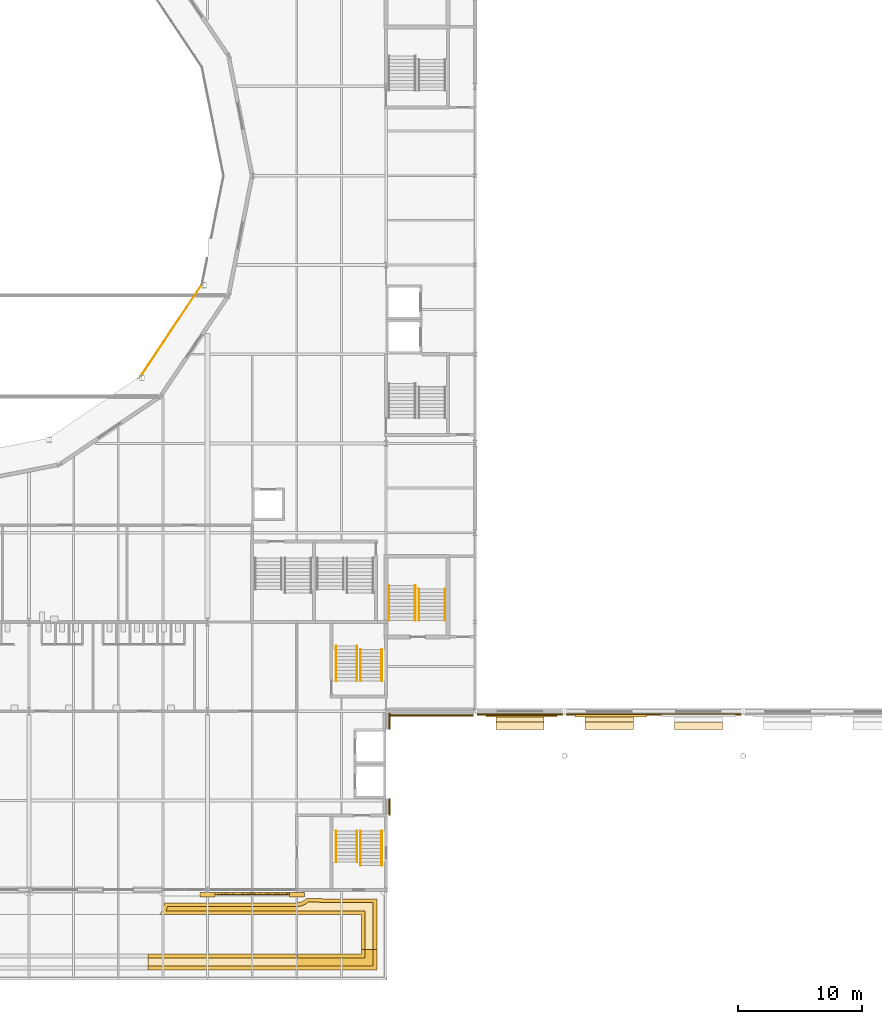
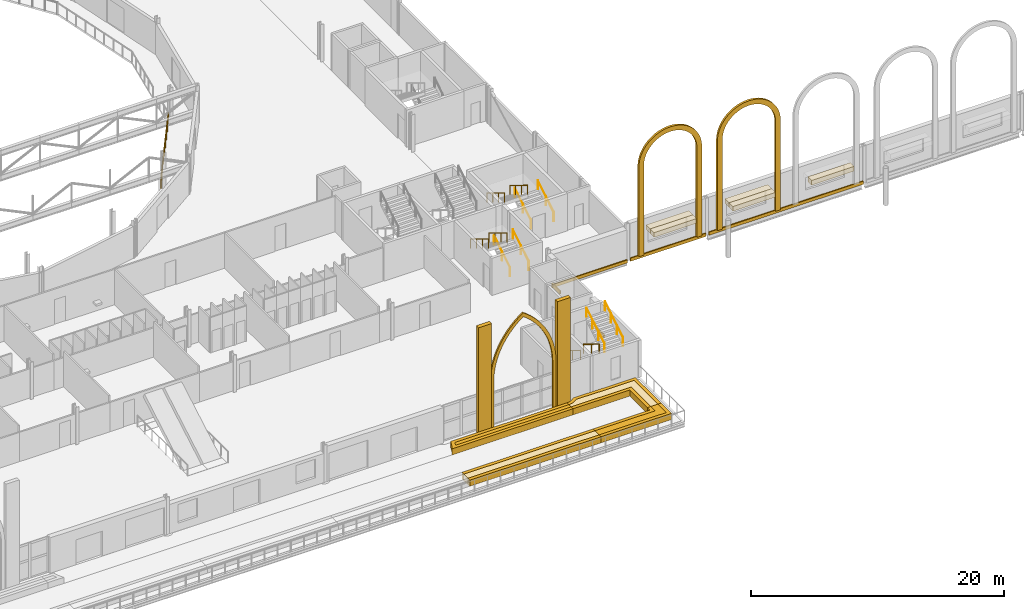
# One storey, part 108 of 143: 26 coverings, 13 railings.
"""IFC4 building model written with IfcOpenShell, lengths in metres."""

import ifcopenshell
import ifcopenshell.guid

model = None  # the IFC model being written
_history = None  # IfcOwnerHistory: only IFC2X3 demands one
_inside = {}  # id of a spatial element -> (the spatial element, [elements in it])
_under = {}  # id of a project, library or spatial element -> (it, [spatial elements below it])
_declared = {}  # id of a project -> (the project, [libraries it declares])
_typed = {}  # id of a type object -> (the type object, [elements of that type])
_made_of = {}  # id of a material, layer set ... -> (it, [elements and type objects made of it])


def new_model(schema):
    """Start an empty IFC model of exactly this schema.

    Asked for "IFC4X3", IfcOpenShell would pick the latest addendum, in which some entities
    have other attributes; the version numbers below select the first issue.
    IFC2X3 requires an IfcOwnerHistory on every rooted entity: one is made here for all.
    """
    global model, _history
    if schema == "IFC4X3":
        model = ifcopenshell.file(schema_version=(4, 3, 0, 0))
    else:
        model = ifcopenshell.file(schema=schema)
    _inside.clear()
    _under.clear()
    _declared.clear()
    _typed.clear()
    _made_of.clear()
    _history = None
    if model.schema == "IFC2X3":
        org = make("IfcOrganization", Name="unknown")
        user = make(
            "IfcPersonAndOrganization",
            ThePerson=make("IfcPerson", FamilyName="unknown"),
            TheOrganization=org,
        )
        app = make(
            "IfcApplication",
            ApplicationDeveloper=org,
            Version="unknown",
            ApplicationFullName="unknown",
            ApplicationIdentifier="unknown",
        )
        _history = make(
            "IfcOwnerHistory",
            OwningUser=user,
            OwningApplication=app,
            ChangeAction="ADDED",
            CreationDate=0,
        )
    return model


def make(cls, **values):
    """One entity of the class cls with the attributes given. An attribute that is None is left unset."""
    return model.create_entity(
        cls, **{name: value for name, value in values.items() if value is not None}
    )


def rooted(cls, **values):
    """An entity with a GlobalId (a new one), such as an element, a storey or a relation."""
    return make(cls, GlobalId=ifcopenshell.guid.new(), OwnerHistory=_history, **values)


def si_unit(unit_type, name, prefix=None):
    """IfcSIUnit, for example si_unit("LENGTHUNIT", "METRE", prefix="MILLI")."""
    return make("IfcSIUnit", UnitType=unit_type, Prefix=prefix, Name=name)


def assignment(units):
    """IfcUnitAssignment: the units of a project."""
    return None if units is None else make("IfcUnitAssignment", Units=units)


def point(xyz):
    """IfcCartesianPoint."""
    return None if xyz is None else make("IfcCartesianPoint", Coordinates=xyz)


def direction(xyz):
    """IfcDirection."""
    return None if xyz is None else make("IfcDirection", DirectionRatios=xyz)


def frame(location, z_axis=None, x_axis=None):
    """IfcAxis2Placement3D, a coordinate frame: its origin and axes. An axis left out is left unset."""
    return make(
        "IfcAxis2Placement3D",
        Location=point(location),
        Axis=direction(z_axis),
        RefDirection=direction(x_axis),
    )


def frame_2d(location, x_axis=None):
    """IfcAxis2Placement2D, a coordinate frame in the plane: its origin and x axis."""
    return make(
        "IfcAxis2Placement2D", Location=point(location), RefDirection=direction(x_axis)
    )


def origin():
    """The frame at (0, 0, 0) with its axes left unset."""
    return frame((0.0, 0.0, 0.0))


def origin_2d():
    """The frame at (0, 0) in the plane with its x axis left unset."""
    return frame_2d((0.0, 0.0))


def place(relative_to, where):
    """IfcLocalPlacement: puts the frame where relative to a parent placement (None: the world)."""
    return make(
        "IfcLocalPlacement", PlacementRelTo=relative_to, RelativePlacement=where
    )


def context(
    kind, dimensions, precision=None, world=None, true_north=None, identifier=None
):
    """IfcGeometricRepresentationContext, for example the 3D "Model" context."""
    return make(
        "IfcGeometricRepresentationContext",
        ContextIdentifier=identifier,
        ContextType=kind,
        CoordinateSpaceDimension=dimensions,
        Precision=precision,
        WorldCoordinateSystem=world,
        TrueNorth=true_north,
    )


def subcontext(parent, identifier, kind, view, scale=None):
    """IfcGeometricRepresentationSubContext, for example "Body" below "Model"."""
    return make(
        "IfcGeometricRepresentationSubContext",
        ContextIdentifier=identifier,
        ContextType=kind,
        ParentContext=parent,
        TargetScale=scale,
        TargetView=view,
    )


def project(units=None, contexts=None):
    """IfcProject with its units and contexts."""
    return rooted(
        "IfcProject",
        Name="project",
        RepresentationContexts=contexts,
        UnitsInContext=assignment(units),
    )


def spatial(cls, under=None, at=None, **own):
    """A site, building, storey or space (cls), placed at a placement, below another one or the project."""
    s = rooted(cls, ObjectPlacement=at, **own)
    if under is not None:
        _under.setdefault(under.id(), (under, []))[1].append(s)
    return s


def polyline(points):
    """IfcPolyline through the points."""
    return make("IfcPolyline", Points=[point(p) for p in points])


def profile(cls, at=None, kind="AREA", **sizes):
    """A parametric profile (cls). Its sizes go by their IFC names, for example OverallWidth=200.0."""
    return make(cls, ProfileType=kind, Position=at, **sizes)


def rectangle(**sizes):
    """IfcRectangleProfileDef."""
    return profile("IfcRectangleProfileDef", **sizes)


def circle(**sizes):
    """IfcCircleProfileDef."""
    return profile("IfcCircleProfileDef", **sizes)


def outline(outer, holes=None, kind="AREA"):
    """IfcArbitraryClosedProfileDef: a profile drawn as a closed curve; with holes, ...WithVoids."""
    if holes is None:
        return make("IfcArbitraryClosedProfileDef", ProfileType=kind, OuterCurve=outer)
    return make(
        "IfcArbitraryProfileDefWithVoids",
        ProfileType=kind,
        OuterCurve=outer,
        InnerCurves=holes,
    )


def extrude(swept, where, along, depth):
    """IfcExtrudedAreaSolid: the profile swept, set in the frame where, extruded along a direction by depth."""
    return make(
        "IfcExtrudedAreaSolid",
        SweptArea=swept,
        Position=where,
        ExtrudedDirection=direction(along),
        Depth=depth,
    )


def shape(context_of_items, identifier, shape_type, items):
    """IfcShapeRepresentation: the items that make up one representation, for example the "Body"."""
    return make(
        "IfcShapeRepresentation",
        ContextOfItems=context_of_items,
        RepresentationIdentifier=identifier,
        RepresentationType=shape_type,
        Items=items,
    )


def material(Name=None, Category=None):
    """IfcMaterial."""
    return make("IfcMaterial", Name=Name, Category=Category)


def layer(
    of_material, thickness, ventilated=None, Name=None, Category=None, Priority=None
):
    """IfcMaterialLayer: one layer of a wall or slab, of a material (None: an air gap)."""
    return make(
        "IfcMaterialLayer",
        Material=of_material,
        LayerThickness=thickness,
        IsVentilated=ventilated,
        Name=Name,
        Category=Category,
        Priority=Priority,
    )


def layer_set(layers, Name=None):
    """IfcMaterialLayerSet."""
    return make("IfcMaterialLayerSet", MaterialLayers=layers, LayerSetName=Name)


def made_of(thing, what):
    """Note that an element or type object is made of a material, layer set ...; save() writes the relation."""
    if what is not None:
        _made_of.setdefault(what.id(), (what, []))[1].append(thing)
    return thing


def type_object(cls, material=None, **own):
    """A type object (cls), such as IfcWallType, which elements share."""
    return made_of(rooted(cls, **own), material)


def element(
    cls,
    number,
    at=None,
    inside=None,
    cuts=None,
    type_object=None,
    material=None,
    context=None,
    identifier="Body",
    shape_type=None,
    held_by="IfcProductDefinitionShape",
    body=None,
    shapes=None,
    **own,
):
    """One element of the class cls, such as IfcWall. Its Tag is "e" and its number.

    at: its placement. inside: the storey or other place that contains it. cuts: it is an
    opening in that element (IfcRelVoidsElement). A single representation is given by context,
    identifier, shape_type and body (its items); several are given by shapes. held_by: the class
    of the entity that holds the representations. save() writes the other relations.
    """
    e = rooted(cls, Tag="e%d" % number, ObjectPlacement=at, **own)
    if body is not None:
        shapes = [shape(context, identifier, shape_type, body)]
    if shapes is not None:
        e.Representation = make(held_by, Representations=shapes)
    if inside is not None:
        _inside.setdefault(inside.id(), (inside, []))[1].append(e)
    if cuts is not None:
        rooted(
            "IfcRelVoidsElement", RelatingBuildingElement=cuts, RelatedOpeningElement=e
        )
    if type_object is not None:
        _typed.setdefault(type_object.id(), (type_object, []))[1].append(e)
    return made_of(e, material)


def aggregate(whole, parts):
    """IfcRelAggregates: a whole, such as a stair, and the parts it consists of."""
    return rooted("IfcRelAggregates", RelatingObject=whole, RelatedObjects=parts)


def save(model, path):
    """Write the relations noted so far, then the file.

    IfcRelAggregates (storeys below a building ...), IfcRelContainedInSpatialStructure (elements
    in a storey), IfcRelDefinesByType, IfcRelAssociatesMaterial and IfcRelDeclares: one each for
    every whole, place, type object, material and project.
    """
    for whole, parts in _under.values():
        aggregate(whole, parts)
    for where, things in _inside.values():
        rooted(
            "IfcRelContainedInSpatialStructure",
            RelatedElements=things,
            RelatingStructure=where,
        )
    for kind, things in _typed.values():
        rooted("IfcRelDefinesByType", RelatedObjects=things, RelatingType=kind)
    for what, things in _made_of.values():
        rooted("IfcRelAssociatesMaterial", RelatedObjects=things, RelatingMaterial=what)
    for by, libraries in _declared.values():
        rooted("IfcRelDeclares", RelatingContext=by, RelatedDefinitions=libraries)
    model.write(path)


model = new_model("IFC4")

# Units and contexts
model_context = context("Model", 3, precision=1e-05, world=origin(), true_north=direction((0.0, 1.0)))
body_context = subcontext(model_context, "Body", "Model", "MODEL_VIEW")
ifc_project = project(units=[si_unit("LENGTHUNIT", "METRE"), si_unit("AREAUNIT", "SQUARE_METRE"), si_unit("VOLUMEUNIT", "CUBIC_METRE"), si_unit("PLANEANGLEUNIT", "RADIAN"), si_unit("MASSUNIT", "GRAM", prefix="KILO")], contexts=[model_context])

# Site, building, storey
site_placement = place(None, origin())
site = spatial("IfcSite", under=ifc_project, at=site_placement, CompositionType="ELEMENT")
building_placement = place(site_placement, origin())
building = spatial("IfcBuilding", under=site, at=building_placement, Name="Kupolbacken Congress Centre", CompositionType="ELEMENT")
storey_placement = place(building_placement, frame((0.0, 0.0, 7.199951171875)))
storey = spatial("IfcBuildingStorey", under=building, at=storey_placement, Name="L02", CompositionType="ELEMENT", Elevation=7.199951171875)

# Coverings
ifc_material_1 = material(Name="Brick cladding", Category="masonry")
ifc_layer_1 = layer(ifc_material_1, 0.10791015625)
ifc_layer_set_1 = layer_set([ifc_layer_1], Name="Brick cladding")
covering_type_1 = type_object("IfcCoveringType", Name="CV2 brick cladding band 108", PredefinedType="CLADDING", material=ifc_layer_set_1)
covering_1_placement = place(storey_placement, frame((79.48388671875, 35.47509765625, 0.0), z_axis=(0.0, 0.0, 1.0), x_axis=(0.0, 1.0, 0.0)))
element("IfcCovering", 1, at=covering_1_placement, inside=storey, type_object=covering_type_1, Name="E/F/E/L02/228/band", PredefinedType="CLADDING", context=body_context, shape_type="SweptSolid", body=[
    extrude(rectangle(XDim=1.35009765625, YDim=0.10791015625, at=origin_2d()), origin(), (0.0, 0.0, 1.0), 0.300048828125),
])
covering_2_placement = place(storey_placement, frame((79.48388671875, 42.39990234375, 0.0), z_axis=(0.0, 0.0, 1.0), x_axis=(0.0, 1.0, 0.0)))
element("IfcCovering", 2, at=covering_2_placement, inside=storey, type_object=covering_type_1, Name="E/F/E/L02/229/band", PredefinedType="CLADDING", context=body_context, shape_type="SweptSolid", body=[
    extrude(rectangle(XDim=1.300048828125, YDim=0.10791015625, at=origin_2d()), origin(), (0.0, 0.0, 1.0), 0.300048828125),
])
covering_3_placement = place(storey_placement, frame((90.0, 42.93603515625, 0.0), z_axis=(0.0, 0.0, 1.0), x_axis=(1.0, 0.0, 0.0)))
element("IfcCovering", 3, at=covering_3_placement, inside=storey, type_object=covering_type_1, Name="E/H/S/L02/265/band", PredefinedType="CLADDING", context=body_context, shape_type="SweptSolid", body=[
    extrude(rectangle(XDim=6.89990234375, YDim=0.10791015625, at=origin_2d()), origin(), (0.0, 0.0, 1.0), 0.300048828125),
])
covering_4_placement = place(storey_placement, frame((100.800048828125, 42.93603515625, 0.0), z_axis=(0.0, 0.0, 1.0), x_axis=(1.0, 0.0, 0.0)))
element("IfcCovering", 4, at=covering_4_placement, inside=storey, type_object=covering_type_1, Name="E/H/S/L02/266/band", PredefinedType="CLADDING", context=body_context, shape_type="SweptSolid", body=[
    extrude(rectangle(XDim=14.10009765625, YDim=0.10791015625, at=origin_2d()), origin(), (0.0, 0.0, 1.0), 0.300048828125),
])
covering_5_placement = place(storey_placement, frame((82.800048828125, 42.865966796875, 0.0), z_axis=(0.0, 0.0, 1.0), x_axis=(1.0, 0.0, 0.0)))
element("IfcCovering", 5, at=covering_5_placement, inside=storey, type_object=covering_type_1, Name="E/LINK/S/L02/275/band", PredefinedType="CLADDING", context=body_context, shape_type="SweptSolid", body=[
    extrude(rectangle(XDim=6.89990234375, YDim=0.10791015625, at=origin_2d()), origin(), (0.0, 0.0, 1.0), 0.300048828125),
])
ifc_material_2 = material(Name="Limestone cladding", Category="masonry")
ifc_layer_2 = layer(ifc_material_2, 0.35009765625)
ifc_layer_set_2 = layer_set([ifc_layer_2], Name="Limestone cladding")
covering_type_2 = type_object("IfcCoveringType", Name="CV3 limestone pilaster strip 350", PredefinedType="CLADDING", material=ifc_layer_set_2)
for number, where, z_axis, x_axis, name in (
    (6, (64.800048828125, 28.39501953125, 0.0), (0.0, 0.0, 1.0), (1.0, 0.0, 0.0), "F/FY/S/pil/08/0"),
    (7, (72.0, 28.39501953125, 0.0), (0.0, 0.0, 1.0), (1.0, 0.0, 0.0), "F/FY/S/pil/09/0"),
):
    element("IfcCovering", number, at=place(storey_placement, frame(where, z_axis=z_axis, x_axis=x_axis)), inside=storey, type_object=covering_type_2, Name=name, PredefinedType="CLADDING", context=body_context, shape_type="SweptSolid", body=[
        extrude(rectangle(XDim=1.199951171875, YDim=0.35009765625, at=origin_2d()), origin(), (0.0, 0.0, 1.0), 10.300048828125),
    ])
ifc_material_3 = material(Name="Limestone cladding", Category="masonry")
ifc_layer_3 = layer(ifc_material_3, 0.14990234375)
ifc_layer_set_3 = layer_set([ifc_layer_3], Name="Limestone cladding")
covering_type_3 = type_object("IfcCoveringType", Name="CV4 limestone blind arch frame 150", PredefinedType="CLADDING", material=ifc_layer_set_3)
covering_6_placement = place(storey_placement, frame((65.39990234375, 28.570068359375, 0.0), z_axis=(0.0, -1.0, 0.0), x_axis=(1.0, 0.0, 0.0)))
element("IfcCovering", 8, at=covering_6_placement, inside=storey, type_object=covering_type_3, Name="F/FY/S/arch/08/11.7", PredefinedType="CLADDING", context=body_context, shape_type="SweptSolid", body=[
    extrude(outline(polyline([(0.0, 0.0), (0.0, 4.449951171875), (0.0166015625, 4.92822265625), (0.066162109375, 5.404052734375), (0.1484375, 5.87548828125), (0.26318359375, 6.340087890625), (0.409912109375, 6.79541015625), (0.587646484375, 7.23974609375), (0.7958984375, 7.670654296875), (1.033203125, 8.086181640625), (1.298583984375, 8.484130859375), (1.591064453125, 8.86279296875), (1.9091796875, 9.220458984375), (2.2509765625, 9.555419921875), (2.615234375, 9.865478515625), (3.0, 10.14990234375), (3.384765625, 9.865478515625), (3.7490234375, 9.555419921875), (4.0908203125, 9.220458984375), (4.408935546875, 8.86279296875), (4.701416015625, 8.484130859375), (4.966796875, 8.086181640625), (5.2041015625, 7.670654296875), (5.412353515625, 7.23974609375), (5.590087890625, 6.79541015625), (5.73681640625, 6.340087890625), (5.8515625, 5.87548828125), (5.933837890625, 5.404052734375), (5.9833984375, 4.92822265625), (6.0, 4.449951171875), (6.0, 0.0), (5.699951171875, 0.0), (5.699951171875, 4.449951171875), (5.685302734375, 4.892578125), (5.640869140625, 5.333251953125), (5.56689453125, 5.77001953125), (5.464111328125, 6.20068359375), (5.332763671875, 6.62353515625), (5.17333984375, 7.036865234375), (4.986572265625, 7.4384765625), (4.773193359375, 7.826416015625), (4.53466796875, 8.19970703125), (4.271484375, 8.555908203125), (3.985107421875, 8.893798828125), (3.677001953125, 9.211669921875), (3.347900390625, 9.50830078125), (3.0, 9.781982421875), (2.652099609375, 9.50830078125), (2.322998046875, 9.211669921875), (2.014892578125, 8.893798828125), (1.728515625, 8.555908203125), (1.46533203125, 8.19970703125), (1.226806640625, 7.826416015625), (1.013427734375, 7.4384765625), (0.82666015625, 7.036865234375), (0.667236328125, 6.62353515625), (0.535888671875, 6.20068359375), (0.43310546875, 5.77001953125), (0.359130859375, 5.333251953125), (0.314697265625, 4.892578125), (0.300048828125, 4.449951171875), (0.300048828125, 0.0), (0.0, 0.0)])), origin(), (0.0, 0.0, 1.0), 0.14990234375),
])
ifc_material_4 = material(Name="Limestone cladding", Category="masonry")
ifc_layer_4 = layer(ifc_material_4, 0.60009765625)
ifc_layer_set_4 = layer_set([ifc_layer_4], Name="Limestone cladding")
covering_type_4 = type_object("IfcCoveringType", Name="CV5 limestone arcade pier 600", PredefinedType="CLADDING", material=ifc_layer_set_4)
covering_7_placement = place(storey_placement, origin())
element("IfcCovering", 9, at=covering_7_placement, inside=storey, type_object=covering_type_4, Name="Bed kerb, roof garden", PredefinedType="CLADDING", context=body_context, shape_type="SweptSolid", body=[
    extrude(outline(polyline([(72.0, 23.6025390625), (72.0, 23.302490234375), (60.0, 23.302490234375), (60.0, 23.6025390625), (72.0, 23.6025390625)])), origin(), (0.0, 0.0, 1.0), 0.60009765625),
])
covering_8_placement = place(storey_placement, origin())
element("IfcCovering", 10, at=covering_8_placement, inside=storey, type_object=covering_type_4, Name="Bed kerb, roof garden", PredefinedType="CLADDING", context=body_context, shape_type="SweptSolid", body=[
    extrude(outline(polyline([(60.0, 22.35009765625), (60.0, 22.64990234375), (72.0, 22.64990234375), (72.0, 22.35009765625), (60.0, 22.35009765625)])), origin(), (0.0, 0.0, 1.0), 0.60009765625),
])
covering_9_placement = place(storey_placement, origin())
element("IfcCovering", 11, at=covering_9_placement, inside=storey, type_object=covering_type_4, Name="Bed kerb, roof garden", PredefinedType="CLADDING", context=body_context, shape_type="SweptSolid", body=[
    extrude(outline(polyline([(60.941162109375, 26.797607421875), (61.03955078125, 26.961669921875), (61.203125, 27.3076171875), (61.33203125, 27.66796875), (61.3525390625, 27.75), (62.90966796875, 27.75), (62.909912109375, 27.75), (62.925048828125, 27.749267578125), (62.93994140625, 27.75), (62.940185546875, 27.75), (64.604736328125, 27.75), (64.60498046875, 27.75), (64.6201171875, 27.749267578125), (64.7099609375, 27.753662109375), (64.800048828125, 27.749267578125), (64.887451171875, 27.753662109375), (64.97509765625, 27.749267578125), (64.98974609375, 27.75), (66.69775390625, 27.75), (66.71240234375, 27.749267578125), (66.727294921875, 27.75), (68.460205078125, 27.75), (68.47509765625, 27.749267578125), (68.48974609375, 27.75), (70.222900390625, 27.75), (70.237548828125, 27.749267578125), (70.252197265625, 27.75), (71.960205078125, 27.75), (71.97509765625, 27.749267578125), (72.0, 27.75048828125), (72.0, 27.4501953125), (71.97509765625, 27.448974609375), (71.952880859375, 27.449951171875), (70.259521484375, 27.449951171875), (70.237548828125, 27.448974609375), (70.21533203125, 27.449951171875), (68.4970703125, 27.449951171875), (68.47509765625, 27.448974609375), (68.452880859375, 27.449951171875), (66.734619140625, 27.449951171875), (66.71240234375, 27.448974609375), (66.6904296875, 27.449951171875), (64.9970703125, 27.449951171875), (64.97509765625, 27.448974609375), (64.887451171875, 27.453125), (64.800048828125, 27.448974609375), (64.7099609375, 27.453369140625), (64.620361328125, 27.448974609375), (64.59765625, 27.449951171875), (62.947021484375, 27.449951171875), (62.92529296875, 27.448974609375), (62.902587890625, 27.449951171875), (61.57275390625, 27.449951171875), (61.480712890625, 27.192626953125), (61.435791015625, 27.097412109375), (72.0, 27.097412109375), (72.0, 26.797607421875), (60.941162109375, 26.797607421875)])), origin(), (0.0, 0.0, 1.0), 0.60009765625),
])
covering_10_placement = place(storey_placement, origin())
element("IfcCovering", 12, at=covering_10_placement, inside=storey, type_object=covering_type_4, Name="Bed kerb, roof garden", PredefinedType="CLADDING", context=body_context, shape_type="SweptSolid", body=[
    extrude(outline(polyline([(77.197509765625, 23.6025390625), (77.197509765625, 24.0), (77.49755859375, 24.0), (77.49755859375, 23.302490234375), (72.0, 23.302490234375), (72.0, 23.6025390625), (77.197509765625, 23.6025390625)])), origin(), (0.0, 0.0, 1.0), 0.60009765625),
])
covering_11_placement = place(storey_placement, origin())
element("IfcCovering", 13, at=covering_11_placement, inside=storey, type_object=covering_type_4, Name="Bed kerb, roof garden", PredefinedType="CLADDING", context=body_context, shape_type="SweptSolid", body=[
    extrude(outline(polyline([(78.449951171875, 22.35009765625), (72.0, 22.35009765625), (72.0, 22.64990234375), (78.14990234375, 22.64990234375), (78.14990234375, 24.0), (78.449951171875, 24.0), (78.449951171875, 22.35009765625)])), origin(), (0.0, 0.0, 1.0), 0.60009765625),
])
covering_12_placement = place(storey_placement, origin())
element("IfcCovering", 14, at=covering_12_placement, inside=storey, type_object=covering_type_4, Name="Bed kerb, roof garden", PredefinedType="CLADDING", context=body_context, shape_type="SweptSolid", body=[
    extrude(outline(polyline([(77.197509765625, 26.797607421875), (72.0, 26.797607421875), (72.0, 27.097412109375), (77.49755859375, 27.097412109375), (77.49755859375, 24.0), (77.197509765625, 24.0), (77.197509765625, 26.797607421875)])), origin(), (0.0, 0.0, 1.0), 0.60009765625),
])
covering_13_placement = place(storey_placement, origin())
element("IfcCovering", 15, at=covering_13_placement, inside=storey, type_object=covering_type_4, Name="Bed kerb, roof garden", PredefinedType="CLADDING", context=body_context, shape_type="SweptSolid", body=[
    extrude(outline(polyline([(72.077880859375, 27.75439453125), (72.179931640625, 27.76953125), (72.280029296875, 27.79443359375), (72.377197265625, 27.829345703125), (72.47021484375, 27.873291015625), (72.558837890625, 27.926513671875), (72.6416015625, 27.98779296875), (72.718017578125, 28.056884765625), (72.7568359375, 28.10009765625), (74.074951171875, 28.10009765625), (74.074951171875, 28.074951171875), (74.324951171875, 28.074951171875), (75.52490234375, 28.074951171875), (78.440673828125, 28.074951171875), (78.449951171875, 28.064697265625), (78.449951171875, 24.0), (78.14990234375, 24.0), (78.14990234375, 27.77490234375), (73.77490234375, 27.77490234375), (73.77490234375, 27.800048828125), (72.881103515625, 27.800048828125), (72.83203125, 27.755615234375), (72.7255859375, 27.676513671875), (72.61181640625, 27.6083984375), (72.491943359375, 27.5517578125), (72.3671875, 27.507080078125), (72.238525390625, 27.474853515625), (72.107421875, 27.455322265625), (72.0, 27.4501953125), (72.0, 27.75048828125), (72.077880859375, 27.75439453125)])), origin(), (0.0, 0.0, 1.0), 0.60009765625),
])
covering_14_placement = place(storey_placement, frame((90.0, 42.6650390625, 2.5), z_axis=(0.0, 0.0, 1.0), x_axis=(1.0, 0.0, 0.0)))
element("IfcCovering", 16, at=covering_14_placement, inside=storey, type_object=covering_type_4, Name="F/HR/H/S/fin/00/0/a", PredefinedType="CLADDING", context=body_context, shape_type="SweptSolid", body=[
    extrude(rectangle(XDim=3.89990234375, YDim=0.64990234375, at=origin_2d()), origin(), (0.0, 0.0, 1.0), 0.449951171875),
])
covering_15_placement = place(storey_placement, frame((90.0, 42.0400390625, 2.5), z_axis=(0.0, 0.0, 1.0), x_axis=(1.0, 0.0, 0.0)))
element("IfcCovering", 17, at=covering_15_placement, inside=storey, type_object=covering_type_4, Name="F/HR/H/S/fin/00/0/b", PredefinedType="CLADDING", context=body_context, shape_type="SweptSolid", body=[
    extrude(rectangle(XDim=3.89990234375, YDim=0.60009765625, at=origin_2d()), origin(), (0.0, 0.0, 1.0), 0.449951171875),
])
covering_16_placement = place(storey_placement, frame((97.199951171875, 42.6650390625, 2.5), z_axis=(0.0, 0.0, 1.0), x_axis=(1.0, 0.0, 0.0)))
element("IfcCovering", 18, at=covering_16_placement, inside=storey, type_object=covering_type_4, Name="F/HR/H/S/fin/01/0/a", PredefinedType="CLADDING", context=body_context, shape_type="SweptSolid", body=[
    extrude(rectangle(XDim=3.89990234375, YDim=0.64990234375, at=origin_2d()), origin(), (0.0, 0.0, 1.0), 0.449951171875),
])
for number, where, z_axis, x_axis, name in (
    (19, (97.199951171875, 42.0400390625, 2.5), (0.0, 0.0, 1.0), (1.0, 0.0, 0.0), "F/HR/H/S/fin/01/0/b"),
    (20, (104.39990234375, 42.0400390625, 2.5), (0.0, 0.0, 1.0), (1.0, 0.0, 0.0), "F/HR/H/S/fin/02/0/b"),
):
    element("IfcCovering", number, at=place(storey_placement, frame(where, z_axis=z_axis, x_axis=x_axis)), inside=storey, type_object=covering_type_4, Name=name, PredefinedType="CLADDING", context=body_context, shape_type="SweptSolid", body=[
        extrude(rectangle(XDim=3.89990234375, YDim=0.60009765625, at=origin_2d()), origin(), (0.0, 0.0, 1.0), 0.449951171875),
    ])
ifc_material_5 = material(Name="Limestone cladding", Category="masonry")
ifc_layer_5 = layer(ifc_material_5, 0.199951171875)
ifc_layer_set_5 = layer_set([ifc_layer_5], Name="Limestone cladding")
covering_type_5 = type_object("IfcCoveringType", Name="CV9 limestone drum arch frame 200", PredefinedType="CLADDING", material=ifc_layer_set_5)
covering_17_placement = place(storey_placement, frame((87.239990234375, 42.93994140625, 0.300048828125), z_axis=(0.0, -1.0, 0.0), x_axis=(1.0, 0.0, 0.0)))
element("IfcCovering", 21, at=covering_17_placement, inside=storey, type_object=covering_type_5, Name="F/HR/H/S/frame/00", PredefinedType="CLADDING", context=body_context, shape_type="SweptSolid", body=[
    extrude(outline(polyline([(0.0, 0.0), (0.0, 8.669921875), (0.01806640625, 8.992431640625), (0.072265625, 9.310791015625), (0.16162109375, 9.62109375), (0.28515625, 9.919677734375), (0.44140625, 10.202392578125), (0.62841796875, 10.4658203125), (0.843505859375, 10.70654296875), (1.084228515625, 10.921630859375), (1.34765625, 11.108642578125), (1.63037109375, 11.264892578125), (1.9287109375, 11.388427734375), (2.239013671875, 11.477783203125), (2.5576171875, 11.531982421875), (2.8798828125, 11.550048828125), (3.202392578125, 11.531982421875), (3.52099609375, 11.477783203125), (3.831298828125, 11.388427734375), (4.129638671875, 11.264892578125), (4.412353515625, 11.108642578125), (4.67578125, 10.921630859375), (4.91650390625, 10.70654296875), (5.131591796875, 10.4658203125), (5.318603515625, 10.202392578125), (5.474853515625, 9.919677734375), (5.598388671875, 9.62109375), (5.687744140625, 9.310791015625), (5.741943359375, 8.992431640625), (5.760009765625, 8.669921875), (5.760009765625, 0.0), (5.31005859375, 0.0), (5.31005859375, 8.669921875), (5.294677734375, 8.942138671875), (5.2490234375, 9.210693359375), (5.173583984375, 9.47265625), (5.0693359375, 9.724365234375), (4.9375, 9.962890625), (4.77978515625, 10.18505859375), (4.598388671875, 10.38818359375), (4.39501953125, 10.56982421875), (4.1728515625, 10.7275390625), (3.934326171875, 10.859375), (3.6826171875, 10.963623046875), (3.420654296875, 11.0390625), (3.152099609375, 11.084716796875), (2.8798828125, 11.10009765625), (2.60791015625, 11.084716796875), (2.33935546875, 11.0390625), (2.077392578125, 10.963623046875), (1.82568359375, 10.859375), (1.587158203125, 10.7275390625), (1.364990234375, 10.56982421875), (1.16162109375, 10.38818359375), (0.97998046875, 10.18505859375), (0.822509765625, 9.962890625), (0.690673828125, 9.724365234375), (0.58642578125, 9.47265625), (0.510986328125, 9.210693359375), (0.46533203125, 8.942138671875), (0.449951171875, 8.669921875), (0.449951171875, 0.0), (0.0, 0.0)])), origin(), (0.0, 0.0, 1.0), 0.199951171875),
])
covering_18_placement = place(storey_placement, frame((94.419921875, 42.93994140625, 0.300048828125), z_axis=(0.0, -1.0, 0.0), x_axis=(1.0, 0.0, 0.0)))
element("IfcCovering", 22, at=covering_18_placement, inside=storey, type_object=covering_type_5, Name="F/HR/H/S/frame/01", PredefinedType="CLADDING", context=body_context, shape_type="SweptSolid", body=[
    extrude(outline(polyline([(0.0, 0.0), (0.0, 8.659912109375), (0.018310546875, 8.983642578125), (0.072509765625, 9.302978515625), (0.162109375, 9.614501953125), (0.2861328125, 9.913818359375), (0.443115234375, 10.197509765625), (0.630615234375, 10.4619140625), (0.846435546875, 10.70361328125), (1.088134765625, 10.91943359375), (1.352294921875, 11.10693359375), (1.635986328125, 11.263916015625), (1.935546875, 11.3876953125), (2.246826171875, 11.4775390625), (2.56640625, 11.53173828125), (2.889892578125, 11.550048828125), (3.213623046875, 11.53173828125), (3.533203125, 11.4775390625), (3.844482421875, 11.3876953125), (4.143798828125, 11.263916015625), (4.427490234375, 11.10693359375), (4.69189453125, 10.91943359375), (4.93359375, 10.70361328125), (5.1494140625, 10.4619140625), (5.3369140625, 10.197509765625), (5.493896484375, 9.913818359375), (5.617919921875, 9.614501953125), (5.70751953125, 9.302978515625), (5.76171875, 8.983642578125), (5.780029296875, 8.659912109375), (5.780029296875, 0.0), (5.330078125, 0.0), (5.330078125, 8.659912109375), (5.314697265625, 8.93310546875), (5.268798828125, 9.202880859375), (5.193115234375, 9.4658203125), (5.08837890625, 9.71875), (4.9560546875, 9.958251953125), (4.797607421875, 10.181396484375), (4.615234375, 10.38525390625), (4.411376953125, 10.567626953125), (4.188232421875, 10.72607421875), (3.94873046875, 10.8583984375), (3.69580078125, 10.963134765625), (3.43310546875, 11.038818359375), (3.1630859375, 11.084716796875), (2.889892578125, 11.10009765625), (2.61669921875, 11.084716796875), (2.346923828125, 11.038818359375), (2.083984375, 10.963134765625), (1.831298828125, 10.8583984375), (1.591796875, 10.72607421875), (1.36865234375, 10.567626953125), (1.164794921875, 10.38525390625), (0.982421875, 10.181396484375), (0.823974609375, 9.958251953125), (0.691650390625, 9.71875), (0.5869140625, 9.4658203125), (0.51123046875, 9.202880859375), (0.46533203125, 8.93310546875), (0.449951171875, 8.659912109375), (0.449951171875, 0.0), (0.0, 0.0)])), origin(), (0.0, 0.0, 1.0), 0.199951171875),
])
ifc_material_6 = material(Name="Planting substrate", Category="soil")
ifc_layer_6 = layer(ifc_material_6, 0.60009765625)
ifc_layer_set_6 = layer_set([ifc_layer_6], Name="Planting substrate")
covering_type_6 = type_object("IfcCoveringType", Name="GR8 planting substrate 600", PredefinedType="FLOORING", material=ifc_layer_set_6)
covering_19_placement = place(storey_placement, origin())
element("IfcCovering", 23, at=covering_19_placement, inside=storey, type_object=covering_type_6, Name="Planting bed, roof garden", PredefinedType="FLOORING", context=body_context, shape_type="SweptSolid", body=[
    extrude(outline(polyline([(72.0, 23.302490234375), (72.0, 22.64990234375), (60.0, 22.64990234375), (60.0, 23.302490234375), (72.0, 23.302490234375)])), origin(), (0.0, 0.0, 1.0), 0.60009765625),
])
covering_20_placement = place(storey_placement, origin())
element("IfcCovering", 24, at=covering_20_placement, inside=storey, type_object=covering_type_6, Name="Planting bed, roof garden", PredefinedType="FLOORING", context=body_context, shape_type="SweptSolid", body=[
    extrude(outline(polyline([(61.435791015625, 27.097412109375), (61.480712890625, 27.192626953125), (61.57275390625, 27.449951171875), (62.902587890625, 27.449951171875), (62.92529296875, 27.448974609375), (62.947021484375, 27.449951171875), (64.59765625, 27.449951171875), (64.620361328125, 27.448974609375), (64.7099609375, 27.453369140625), (64.800048828125, 27.448974609375), (64.887451171875, 27.453125), (64.97509765625, 27.448974609375), (64.9970703125, 27.449951171875), (66.6904296875, 27.449951171875), (66.71240234375, 27.448974609375), (66.734619140625, 27.449951171875), (68.452880859375, 27.449951171875), (68.47509765625, 27.448974609375), (68.4970703125, 27.449951171875), (70.21533203125, 27.449951171875), (70.237548828125, 27.448974609375), (70.259521484375, 27.449951171875), (71.952880859375, 27.449951171875), (71.97509765625, 27.448974609375), (72.0, 27.4501953125), (72.0, 27.097412109375), (61.435791015625, 27.097412109375)])), origin(), (0.0, 0.0, 1.0), 0.60009765625),
])
covering_21_placement = place(storey_placement, origin())
element("IfcCovering", 25, at=covering_21_placement, inside=storey, type_object=covering_type_6, Name="Planting bed, roof garden", PredefinedType="FLOORING", context=body_context, shape_type="SweptSolid", body=[
    extrude(outline(polyline([(77.49755859375, 23.302490234375), (77.49755859375, 24.0), (78.14990234375, 24.0), (78.14990234375, 22.64990234375), (72.0, 22.64990234375), (72.0, 23.302490234375), (77.49755859375, 23.302490234375)])), origin(), (0.0, 0.0, 1.0), 0.60009765625),
])
covering_22_placement = place(storey_placement, origin())
element("IfcCovering", 26, at=covering_22_placement, inside=storey, type_object=covering_type_6, Name="Planting bed, roof garden", PredefinedType="FLOORING", context=body_context, shape_type="SweptSolid", body=[
    extrude(outline(polyline([(77.49755859375, 27.097412109375), (72.0, 27.097412109375), (72.0, 27.4501953125), (72.107421875, 27.455322265625), (72.238525390625, 27.474853515625), (72.3671875, 27.507080078125), (72.491943359375, 27.5517578125), (72.61181640625, 27.6083984375), (72.7255859375, 27.676513671875), (72.83203125, 27.755615234375), (72.881103515625, 27.800048828125), (73.77490234375, 27.800048828125), (73.77490234375, 27.77490234375), (78.14990234375, 27.77490234375), (78.14990234375, 24.0), (77.49755859375, 24.0), (77.49755859375, 27.097412109375)])), origin(), (0.0, 0.0, 1.0), 0.60009765625),
])

# Railings
ifc_material_7 = material(Name="Steel S235", Category="steel")
railing_type_1 = type_object("IfcRailingType", Name="RL1 guard 1100 steel balustrade", PredefinedType="GUARDRAIL", material=ifc_material_7)
railing_placement = place(storey_placement, frame((59.3896484375, 70.210205078125, 0.0)))
element("IfcRailing", 27, at=railing_placement, inside=storey, type_object=railing_type_1, Name="PD/L02/ringguard/3150", PredefinedType="GUARDRAIL", context=body_context, shape_type="SweptSolid", body=[
    extrude(circle(Radius=0.02392578125, at=origin_2d()), frame((0.0, 0.0, 1.076171875), z_axis=(0.555563902596, 0.831473842121, 0.0), x_axis=(-0.831473842121, 0.555563902596, 0.0)), (0.0, 0.0, 1.0), 8.93359375),
    extrude(circle(Radius=0.02099609375, at=origin_2d()), origin(), (0.0, 0.0, 1.0), 1.052001953125),
    extrude(circle(Radius=0.02099609375, at=origin_2d()), frame((0.620361328125, 0.928466796875, 0.0)), (0.0, 0.0, 1.0), 1.052001953125),
    extrude(circle(Radius=0.02099609375, at=origin_2d()), frame((1.24072265625, 1.85693359375, 0.0)), (0.0, 0.0, 1.0), 1.052001953125),
    extrude(circle(Radius=0.02099609375, at=origin_2d()), frame((1.861083984375, 2.785400390625, 0.0)), (0.0, 0.0, 1.0), 1.052001953125),
    extrude(circle(Radius=0.02099609375, at=origin_2d()), frame((2.4814453125, 3.7138671875, 0.0)), (0.0, 0.0, 1.0), 1.052001953125),
    extrude(circle(Radius=0.02099609375, at=origin_2d()), frame((3.10205078125, 4.642578125, 0.0)), (0.0, 0.0, 1.0), 1.052001953125),
    extrude(circle(Radius=0.02099609375, at=origin_2d()), frame((3.722412109375, 5.571044921875, 0.0)), (0.0, 0.0, 1.0), 1.052001953125),
    extrude(circle(Radius=0.02099609375, at=origin_2d()), frame((4.3427734375, 6.49951171875, 0.0)), (0.0, 0.0, 1.0), 1.052001953125),
    extrude(circle(Radius=0.02099609375, at=origin_2d()), frame((4.963134765625, 7.427978515625, 0.0)), (0.0, 0.0, 1.0), 1.052001953125),
])
ifc_material_8 = material(Name="Steel S235", Category="steel")
railing_type_2 = type_object("IfcRailingType", Name="RL3 handrail wall-mounted 900", PredefinedType="HANDRAIL", material=ifc_material_8)
for number, where, name in (
    (28, (76.85009765625, 33.544921875, 0.17138671875), "C/stair/FS1E/L02/HR1L"),
    (29, (75.14990234375, 33.544921875, 0.17138671875), "C/stair/FS1E/L02/HR1R"),
):
    element("IfcRailing", number, at=place(storey_placement, frame(where)), inside=storey, type_object=railing_type_2, Name=name, PredefinedType="HANDRAIL", context=body_context, shape_type="SweptSolid", body=[
        extrude(circle(Radius=0.02392578125, at=origin_2d()), frame((0.0, 0.0, 0.8759765625), z_axis=(0.0, -0.852836285881, 0.522178388565), x_axis=(1.0, 0.0, 0.0)), (0.0, 0.0, 1.0), 2.954833984375),
        extrude(circle(Radius=0.02099609375, at=origin_2d()), origin(), (0.0, 0.0, 1.0), 0.851806640625),
        extrude(circle(Radius=0.02099609375, at=origin_2d()), frame((0.0, -1.260009765625, 0.771484375)), (0.0, 0.0, 1.0), 0.851806640625),
        extrude(circle(Radius=0.02099609375, at=origin_2d()), frame((0.0, -2.52001953125, 1.54296875)), (0.0, 0.0, 1.0), 0.851806640625),
    ])
for number, where, name in (
    (30, (77.14990234375, 30.7451171875, 1.8857421875), "C/stair/FS1E/L02/HR2L"),
    (31, (78.85009765625, 30.7451171875, 1.8857421875), "C/stair/FS1E/L02/HR2R"),
):
    element("IfcRailing", number, at=place(storey_placement, frame(where)), inside=storey, type_object=railing_type_2, Name=name, PredefinedType="HANDRAIL", context=body_context, shape_type="SweptSolid", body=[
        extrude(circle(Radius=0.02392578125, at=origin_2d()), frame((0.0, 0.0, 0.8759765625), z_axis=(0.0, 0.852825620865, 0.522195806567), x_axis=(-1.0, 0.0, 0.0)), (0.0, 0.0, 1.0), 3.282958984375),
        extrude(circle(Radius=0.02099609375, at=origin_2d()), origin(), (0.0, 0.0, 1.0), 0.851806640625),
        extrude(circle(Radius=0.02099609375, at=origin_2d()), frame((0.0, 0.933349609375, 0.571533203125)), (0.0, 0.0, 1.0), 0.851806640625),
        extrude(circle(Radius=0.02099609375, at=origin_2d()), frame((0.0, 1.866455078125, 1.142822265625)), (0.0, 0.0, 1.0), 0.851806640625),
        extrude(circle(Radius=0.02099609375, at=origin_2d()), frame((0.0, 2.7998046875, 1.71435546875)), (0.0, 0.0, 1.0), 0.851806640625),
    ])
for number, where, name in (
    (32, (77.14990234375, 45.655029296875, 0.17138671875), "C/stair/FS2E/L02/HR1L"),
    (33, (78.85009765625, 45.655029296875, 0.17138671875), "C/stair/FS2E/L02/HR1R"),
):
    element("IfcRailing", number, at=place(storey_placement, frame(where)), inside=storey, type_object=railing_type_2, Name=name, PredefinedType="HANDRAIL", context=body_context, shape_type="SweptSolid", body=[
        extrude(circle(Radius=0.02392578125, at=origin_2d()), frame((0.0, 0.0, 0.8759765625), z_axis=(0.0, 0.852836285881, 0.522178388565), x_axis=(-1.0, 0.0, 0.0)), (0.0, 0.0, 1.0), 2.954833984375),
        extrude(circle(Radius=0.02099609375, at=origin_2d()), origin(), (0.0, 0.0, 1.0), 0.851806640625),
        extrude(circle(Radius=0.02099609375, at=origin_2d()), frame((0.0, 1.260009765625, 0.771484375)), (0.0, 0.0, 1.0), 0.851806640625),
        extrude(circle(Radius=0.02099609375, at=origin_2d()), frame((0.0, 2.52001953125, 1.54296875)), (0.0, 0.0, 1.0), 0.851806640625),
    ])
for number, where, name in (
    (34, (76.85009765625, 48.455078125, 1.8857421875), "C/stair/FS2E/L02/HR2L"),
    (35, (75.14990234375, 48.455078125, 1.8857421875), "C/stair/FS2E/L02/HR2R"),
):
    element("IfcRailing", number, at=place(storey_placement, frame(where)), inside=storey, type_object=railing_type_2, Name=name, PredefinedType="HANDRAIL", context=body_context, shape_type="SweptSolid", body=[
        extrude(circle(Radius=0.02392578125, at=origin_2d()), frame((0.0, 0.0, 0.8759765625), z_axis=(0.0, -0.852845897599, 0.522162690116), x_axis=(1.0, 0.0, 0.0)), (0.0, 0.0, 1.0), 3.283203125),
        extrude(circle(Radius=0.02099609375, at=origin_2d()), origin(), (0.0, 0.0, 1.0), 0.851806640625),
        extrude(circle(Radius=0.02099609375, at=origin_2d()), frame((0.0, -0.933349609375, 0.571533203125)), (0.0, 0.0, 1.0), 0.851806640625),
        extrude(circle(Radius=0.02099609375, at=origin_2d()), frame((0.0, -1.86669921875, 1.142822265625)), (0.0, 0.0, 1.0), 0.851806640625),
        extrude(circle(Radius=0.02099609375, at=origin_2d()), frame((0.0, -2.800048828125, 1.71435546875)), (0.0, 0.0, 1.0), 0.851806640625),
    ])
for number, where, name in (
    (36, (81.85009765625, 50.530029296875, 0.17138671875), "C/stair/LS1/L02/HR1L"),
    (37, (83.949951171875, 50.530029296875, 0.17138671875), "C/stair/LS1/L02/HR1R"),
):
    element("IfcRailing", number, at=place(storey_placement, frame(where)), inside=storey, type_object=railing_type_2, Name=name, PredefinedType="HANDRAIL", context=body_context, shape_type="SweptSolid", body=[
        extrude(circle(Radius=0.02392578125, at=origin_2d()), frame((0.0, 0.0, 0.8759765625), z_axis=(0.0, 0.852836285881, 0.522178388565), x_axis=(-1.0, 0.0, 0.0)), (0.0, 0.0, 1.0), 2.954833984375),
        extrude(circle(Radius=0.02099609375, at=origin_2d()), origin(), (0.0, 0.0, 1.0), 0.851806640625),
        extrude(circle(Radius=0.02099609375, at=origin_2d()), frame((0.0, 1.260009765625, 0.771484375)), (0.0, 0.0, 1.0), 0.851806640625),
        extrude(circle(Radius=0.02099609375, at=origin_2d()), frame((0.0, 2.52001953125, 1.54296875)), (0.0, 0.0, 1.0), 0.851806640625),
    ])
for number, where, name in (
    (38, (81.550048828125, 53.330078125, 1.8857421875), "C/stair/LS1/L02/HR2L"),
    (39, (79.449951171875, 53.330078125, 1.8857421875), "C/stair/LS1/L02/HR2R"),
):
    element("IfcRailing", number, at=place(storey_placement, frame(where)), inside=storey, type_object=railing_type_2, Name=name, PredefinedType="HANDRAIL", context=body_context, shape_type="SweptSolid", body=[
        extrude(circle(Radius=0.02392578125, at=origin_2d()), frame((0.0, 0.0, 0.8759765625), z_axis=(0.0, -0.852845897599, 0.522162690116), x_axis=(1.0, 0.0, 0.0)), (0.0, 0.0, 1.0), 3.283203125),
        extrude(circle(Radius=0.02099609375, at=origin_2d()), origin(), (0.0, 0.0, 1.0), 0.851806640625),
        extrude(circle(Radius=0.02099609375, at=origin_2d()), frame((0.0, -0.933349609375, 0.571533203125)), (0.0, 0.0, 1.0), 0.851806640625),
        extrude(circle(Radius=0.02099609375, at=origin_2d()), frame((0.0, -1.86669921875, 1.142822265625)), (0.0, 0.0, 1.0), 0.851806640625),
        extrude(circle(Radius=0.02099609375, at=origin_2d()), frame((0.0, -2.800048828125, 1.71435546875)), (0.0, 0.0, 1.0), 0.851806640625),
    ])

save(model, "model.ifc")
